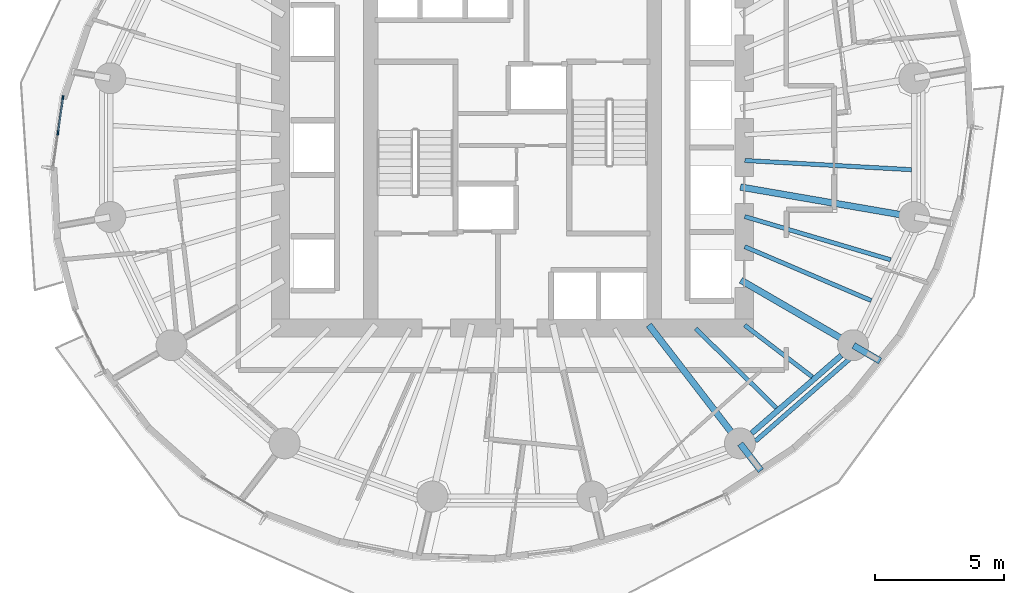
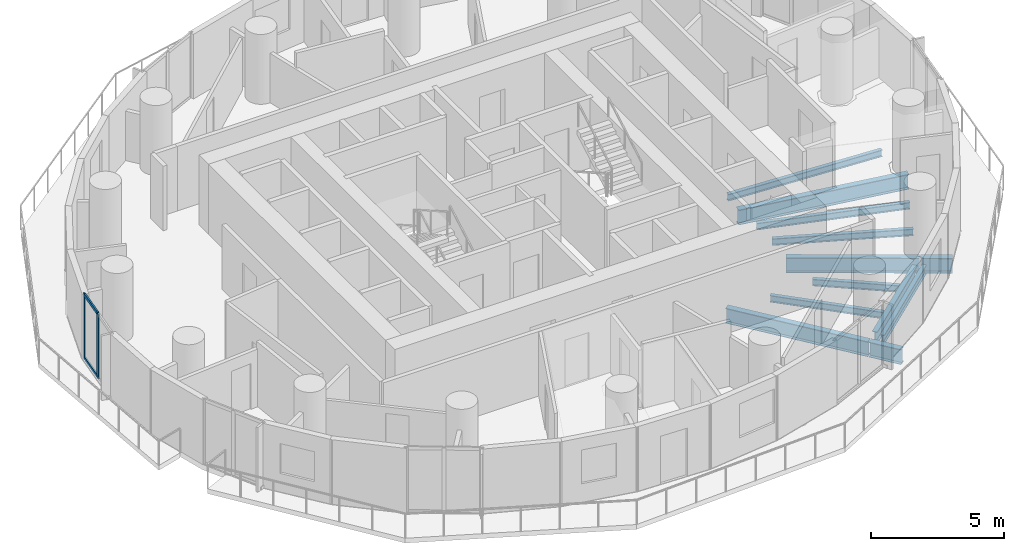
# One storey, part 3 of 14: 12 beams, 4 members, 1 element without a shape of its own.
"""IFC4 building model written with IfcOpenShell, lengths in metres."""

from ifc_helpers import new_model, si_unit, direction, frame, origin, origin_2d, place, context, subcontext, project, spatial, rectangle, i_section, extrude, material, material_profile, profile_set, type_object, element, aggregate, save


model = new_model("IFC4")

# Units and contexts
model_context = context("Model", 3, precision=1e-05, world=origin(), true_north=direction((0.0, 1.0)))
body_context = subcontext(model_context, "Body", "Model", "MODEL_VIEW")
ifc_project = project(units=[si_unit("LENGTHUNIT", "METRE"), si_unit("AREAUNIT", "SQUARE_METRE"), si_unit("VOLUMEUNIT", "CUBIC_METRE"), si_unit("PLANEANGLEUNIT", "RADIAN"), si_unit("MASSUNIT", "GRAM", prefix="KILO")], contexts=[model_context])

# Site, building, storey
site_placement = place(None, origin())
site = spatial("IfcSite", under=ifc_project, at=site_placement, CompositionType="ELEMENT")
building_placement = place(site_placement, origin())
building = spatial("IfcBuilding", under=site, at=building_placement, Name="Veldorim Arch Residences", CompositionType="ELEMENT")
storey_placement = place(building_placement, frame((0.0, 0.0, 86.8798828125)))
storey = spatial("IfcBuildingStorey", under=building, at=storey_placement, Name="L25", CompositionType="ELEMENT", Elevation=86.8798828125)

# Beams
ifc_material_1 = material(Name="Steel S355", Category="steel")
ifc_material_profile_1 = material_profile(ifc_material_1, i_section(OverallWidth=0.2119140625, OverallDepth=0.54443359375, WebThickness=0.0126953125, FlangeThickness=0.021240234375, at=origin_2d()), Name="UB533x210x122")
ifc_profile_set_1 = profile_set([ifc_material_profile_1], Name="Steel S355")
beam_type_1 = type_object("IfcBeamType", Name="Structural Steel Beam UB533x210x122", PredefinedType="BEAM", material=ifc_profile_set_1)
beam_1_placement = place(storey_placement, frame((41.28662109375, 12.9189453125, -0.511962890625), z_axis=(0.755244952556, 0.655442645576, 0.0), x_axis=(-0.655442645576, 0.755244952556, 0.0)))
element("IfcBeam", 1, at=beam_1_placement, inside=storey, type_object=beam_type_1, Name="L25 perimeter ring tie beam 14", PredefinedType="BEAM", context=body_context, shape_type="SweptSolid", body=[
    extrude(i_section(OverallWidth=0.2119140625, OverallDepth=0.54443359375, WebThickness=0.0126953125, FlangeThickness=0.021240234375, at=origin_2d()), origin(), (0.0, 0.0, 1.0), 4.608642578125),
])
ifc_material_2 = material(Name="Steel S355", Category="steel")
ifc_material_profile_2 = material_profile(ifc_material_2, i_section(OverallWidth=0.25439453125, OverallDepth=0.6875, WebThickness=0.01318359375, FlangeThickness=0.02099609375, at=origin_2d()), Name="UB686x254x152")
ifc_profile_set_2 = profile_set([ifc_material_profile_2], Name="Steel S355")
beam_type_2 = type_object("IfcBeamType", Name="Structural Steel GIRDER UB686x254x152", PredefinedType="USERDEFINED", material=ifc_profile_set_2)
beam_2_placement = place(storey_placement, frame((37.297607421875, 17.118896484375, -0.58349609375), z_axis=(0.609994628196, -0.792405548676, 0.0), x_axis=(0.792405548676, 0.609994628196, 0.0)))
element("IfcBeam", 2, at=beam_2_placement, inside=storey, type_object=beam_type_2, Name="L25 radial floor girder 14", ObjectType="GIRDER", PredefinedType="USERDEFINED", context=body_context, shape_type="SweptSolid", body=[
    extrude(i_section(OverallWidth=0.25439453125, OverallDepth=0.6875, WebThickness=0.01318359375, FlangeThickness=0.02099609375, at=origin_2d()), origin(), (0.0, 0.0, 1.0), 5.776611328125),
])
beam_3_placement = place(storey_placement, frame((40.845703125, 12.510009765625, -0.58349609375), z_axis=(0.609952716704, -0.792437810421, 0.0), x_axis=(0.792437810421, 0.609952716704, 0.0)))
element("IfcBeam", 3, at=beam_3_placement, inside=storey, type_object=beam_type_2, Name="L25 radial edge cantilever girder 14", ObjectType="GIRDER", PredefinedType="USERDEFINED", context=body_context, shape_type="SweptSolid", body=[
    extrude(i_section(OverallWidth=0.25439453125, OverallDepth=0.6875, WebThickness=0.01318359375, FlangeThickness=0.02099609375, at=origin_2d()), origin(), (0.0, 0.0, 1.0), 1.31640625),
])
beam_4_placement = place(storey_placement, frame((40.8701171875, 18.85595703125, -0.58349609375), z_axis=(0.865048957682, -0.501687453314, 0.0), x_axis=(0.501687453314, 0.865048957682, 0.0)))
element("IfcBeam", 4, at=beam_4_placement, inside=storey, type_object=beam_type_2, Name="L25 radial floor girder 15", ObjectType="GIRDER", PredefinedType="USERDEFINED", context=body_context, shape_type="SweptSolid", body=[
    extrude(i_section(OverallWidth=0.25439453125, OverallDepth=0.6875, WebThickness=0.01318359375, FlangeThickness=0.02099609375, at=origin_2d()), origin(), (0.0, 0.0, 1.0), 5.009033203125),
])
beam_5_placement = place(storey_placement, frame((45.23779296875, 16.322998046875, -0.58349609375), z_axis=(0.865034732672, -0.501711980394, 0.0), x_axis=(0.501711980394, 0.865034732672, 0.0)))
element("IfcBeam", 5, at=beam_5_placement, inside=storey, type_object=beam_type_2, Name="L25 radial edge cantilever girder 15", ObjectType="GIRDER", PredefinedType="USERDEFINED", context=body_context, shape_type="SweptSolid", body=[
    extrude(i_section(OverallWidth=0.25439453125, OverallDepth=0.6875, WebThickness=0.01318359375, FlangeThickness=0.02099609375, at=origin_2d()), origin(), (0.0, 0.0, 1.0), 1.196044921875),
])
beam_6_placement = place(storey_placement, frame((40.852294921875, 22.4716796875, -0.58349609375), z_axis=(0.985426622718, -0.17010106184, 0.0), x_axis=(0.17010106184, 0.985426622718, 0.0)))
element("IfcBeam", 6, at=beam_6_placement, inside=storey, type_object=beam_type_2, Name="L25 radial floor girder 16", ObjectType="GIRDER", PredefinedType="USERDEFINED", context=body_context, shape_type="SweptSolid", body=[
    extrude(i_section(OverallWidth=0.25439453125, OverallDepth=0.6875, WebThickness=0.01318359375, FlangeThickness=0.02099609375, at=origin_2d()), origin(), (0.0, 0.0, 1.0), 6.82177734375),
])
ifc_material_3 = material(Name="Steel S355", Category="steel")
ifc_material_profile_3 = material_profile(ifc_material_3, i_section(OverallWidth=0.165771484375, OverallDepth=0.306640625, WebThickness=0.006591796875, FlangeThickness=0.01171875, at=origin_2d()), Name="UB305x165x46")
ifc_profile_set_3 = profile_set([ifc_material_profile_3], Name="Steel S355")
beam_type_3 = type_object("IfcBeamType", Name="Structural Steel Joist UB305x165x46", PredefinedType="JOIST", material=ifc_profile_set_3)
beam_7_placement = place(storey_placement, frame((39.114013671875, 16.986083984375, -0.39306640625), z_axis=(0.712111629941, -0.702066255066, 0.0), x_axis=(0.702066255066, 0.712111629941, 0.0)))
element("IfcBeam", 7, at=beam_7_placement, inside=storey, type_object=beam_type_3, Name="L25 secondary radial floor joist 14-1", PredefinedType="JOIST", context=body_context, shape_type="SweptSolid", body=[
    extrude(i_section(OverallWidth=0.165771484375, OverallDepth=0.306640625, WebThickness=0.006591796875, FlangeThickness=0.01171875, at=origin_2d()), origin(), (0.0, 0.0, 1.0), 4.39892578125),
])
beam_8_placement = place(storey_placement, frame((41.015869140625, 17.111572265625, -0.39306640625), z_axis=(0.794594763594, -0.60714014994, 0.0), x_axis=(0.60714014994, 0.794594763594, 0.0)))
element("IfcBeam", 8, at=beam_8_placement, inside=storey, type_object=beam_type_3, Name="L25 secondary radial floor joist 14-2", PredefinedType="JOIST", context=body_context, shape_type="SweptSolid", body=[
    extrude(i_section(OverallWidth=0.165771484375, OverallDepth=0.306640625, WebThickness=0.006591796875, FlangeThickness=0.01171875, at=origin_2d()), origin(), (0.0, 0.0, 1.0), 3.30419921875),
])
beam_9_placement = place(storey_placement, frame((41.018310546875, 20.158447265625, -0.39306640625), z_axis=(0.919997395122, -0.391924473552, 0.0), x_axis=(0.391924473552, 0.919997395122, 0.0)))
element("IfcBeam", 9, at=beam_9_placement, inside=storey, type_object=beam_type_3, Name="L25 secondary radial floor joist 15-1", PredefinedType="JOIST", context=body_context, shape_type="SweptSolid", body=[
    extrude(i_section(OverallWidth=0.165771484375, OverallDepth=0.306640625, WebThickness=0.006591796875, FlangeThickness=0.01171875, at=origin_2d()), origin(), (0.0, 0.0, 1.0), 5.334716796875),
])
beam_10_placement = place(storey_placement, frame((41.019287109375, 21.326416015625, -0.39306640625), z_axis=(0.958753061488, -0.284240333324, 0.0), x_axis=(0.284240333324, 0.958753061488, 0.0)))
element("IfcBeam", 10, at=beam_10_placement, inside=storey, type_object=beam_type_3, Name="L25 secondary radial floor joist 15-2", PredefinedType="JOIST", context=body_context, shape_type="SweptSolid", body=[
    extrude(i_section(OverallWidth=0.165771484375, OverallDepth=0.306640625, WebThickness=0.006591796875, FlangeThickness=0.01171875, at=origin_2d()), origin(), (0.0, 0.0, 1.0), 5.906005859375),
])
beam_11_placement = place(storey_placement, frame((41.02001953125, 23.501708984375, -0.39306640625), z_axis=(0.99847713097, -0.055167190702, 0.0), x_axis=(0.055167190702, 0.99847713097, 0.0)))
element("IfcBeam", 11, at=beam_11_placement, inside=storey, type_object=beam_type_3, Name="L25 secondary radial floor joist 16-1", PredefinedType="JOIST", context=body_context, shape_type="SweptSolid", body=[
    extrude(i_section(OverallWidth=0.165771484375, OverallDepth=0.306640625, WebThickness=0.006591796875, FlangeThickness=0.01171875, at=origin_2d()), origin(), (0.0, 0.0, 1.0), 6.474365234375),
])
ifc_material_4 = material(Name="Steel S355", Category="steel")
ifc_material_profile_4 = material_profile(ifc_material_4, i_section(OverallWidth=0.1787109375, OverallDepth=0.409423828125, WebThickness=0.0087890625, FlangeThickness=0.014404296875, at=origin_2d()), Name="UB406x178x67")
ifc_profile_set_4 = profile_set([ifc_material_profile_4], Name="Steel S355")
beam_type_4 = type_object("IfcBeamType", Name="Structural Steel Spandrel UB406x178x67", PredefinedType="SPANDREL", material=ifc_profile_set_4)
beam_12_placement = place(storey_placement, frame((41.4326171875, 12.611572265625, -0.464599609375), z_axis=(0.753323239074, 0.65765043714, 0.0), x_axis=(-0.65765043714, 0.753323239074, 0.0)))
element("IfcBeam", 12, at=beam_12_placement, inside=storey, type_object=beam_type_4, Name="L25 perimeter chord spandrel beam 14", PredefinedType="SPANDREL", context=body_context, shape_type="SweptSolid", body=[
    extrude(i_section(OverallWidth=0.1787109375, OverallDepth=0.409423828125, WebThickness=0.0087890625, FlangeThickness=0.014404296875, at=origin_2d()), origin(), (0.0, 0.0, 1.0), 4.879150390625),
])

# Curtain wall, members
ifc_material_5 = material(Name="Aluminium", Category="aluminium")
curtain_wall_type = type_object("IfcCurtainWallType", Name="Zone 2 Solar-Control Unitised Curtain Wall", PredefinedType="NOTDEFINED", material=ifc_material_5)
curtain_wall_placement = place(storey_placement, origin())
curtain_wall = element("IfcCurtainWall", 13, at=curtain_wall_placement, inside=storey, type_object=curtain_wall_type, Name="L25 unitised curtain wall bay 16", PredefinedType="NOTDEFINED")
ifc_material_6 = material(Name="Aluminium", Category="aluminium")
ifc_material_profile_5 = material_profile(ifc_material_6, rectangle(XDim=0.06494140625, YDim=0.1650390625, at=origin_2d()), Name="ALU_MUL_65x165")
ifc_profile_set_5 = profile_set([ifc_material_profile_5], Name="Aluminium")
member_type_1 = type_object("IfcMemberType", Name="Zone 2 Solar-Control Unitised Curtain Wall Mullion 65x165", PredefinedType="MULLION", material=ifc_profile_set_5)
member_1_placement = place(storey_placement, frame((14.371337890625, 24.568603515625, 0.0), z_axis=(0.0, 0.0, 1.0), x_axis=(-0.990070536302, 0.140571452105, 0.0)))
member_1 = element("IfcMember", 14, at=member_1_placement, type_object=member_type_1, Name="CW-Z2 mullion 2", PredefinedType="MULLION", context=body_context, shape_type="SweptSolid", body=[
    extrude(rectangle(XDim=0.06494140625, YDim=0.1650390625, at=origin_2d()), origin(), (0.0, 0.0, 1.0), 2.960205078125),
])
member_2_placement = place(storey_placement, frame((14.56591796875, 25.93896484375, 0.0), z_axis=(0.0, 0.0, 1.0), x_axis=(-0.990070536302, 0.140571452105, 0.0)))
member_2 = element("IfcMember", 15, at=member_2_placement, type_object=member_type_1, Name="CW-Z2 mullion 3", PredefinedType="MULLION", context=body_context, shape_type="SweptSolid", body=[
    extrude(rectangle(XDim=0.06494140625, YDim=0.1650390625, at=origin_2d()), origin(), (0.0, 0.0, 1.0), 2.960205078125),
])
ifc_material_7 = material(Name="Aluminium", Category="aluminium")
ifc_material_profile_6 = material_profile(ifc_material_7, rectangle(XDim=0.06494140625, YDim=0.14501953125, at=origin_2d()), Name="ALU_TRN_65x145")
ifc_profile_set_6 = profile_set([ifc_material_profile_6], Name="Aluminium")
member_type_2 = type_object("IfcMemberType", Name="Zone 2 Solar-Control Unitised Curtain Wall Transom 65x145", PredefinedType="USERDEFINED", material=ifc_profile_set_6)
member_3_placement = place(storey_placement, frame((14.375732421875, 24.600830078125, 0.03271484375), z_axis=(0.140669842386, 0.990056561739, 0.0), x_axis=(-0.990056561739, 0.140669842386, 0.0)))
member_3 = element("IfcMember", 16, at=member_3_placement, type_object=member_type_2, Name="CW-Z2 transom 2.1", ObjectType="TRANSOM", PredefinedType="USERDEFINED", context=body_context, shape_type="SweptSolid", body=[
    extrude(rectangle(XDim=0.06494140625, YDim=0.14501953125, at=origin_2d()), origin(), (0.0, 0.0, 1.0), 1.319091796875),
])
member_4_placement = place(storey_placement, frame((14.375732421875, 24.600830078125, 2.927734375), z_axis=(0.140669842386, 0.990056561739, 0.0), x_axis=(-0.990056561739, 0.140669842386, 0.0)))
member_4 = element("IfcMember", 17, at=member_4_placement, type_object=member_type_2, Name="CW-Z2 transom 2.2", ObjectType="TRANSOM", PredefinedType="USERDEFINED", context=body_context, shape_type="SweptSolid", body=[
    extrude(rectangle(XDim=0.06494140625, YDim=0.14501953125, at=origin_2d()), origin(), (0.0, 0.0, 1.0), 1.319091796875),
])
aggregate(curtain_wall, [member_1, member_2, member_3, member_4])

save(model, "model.ifc")
